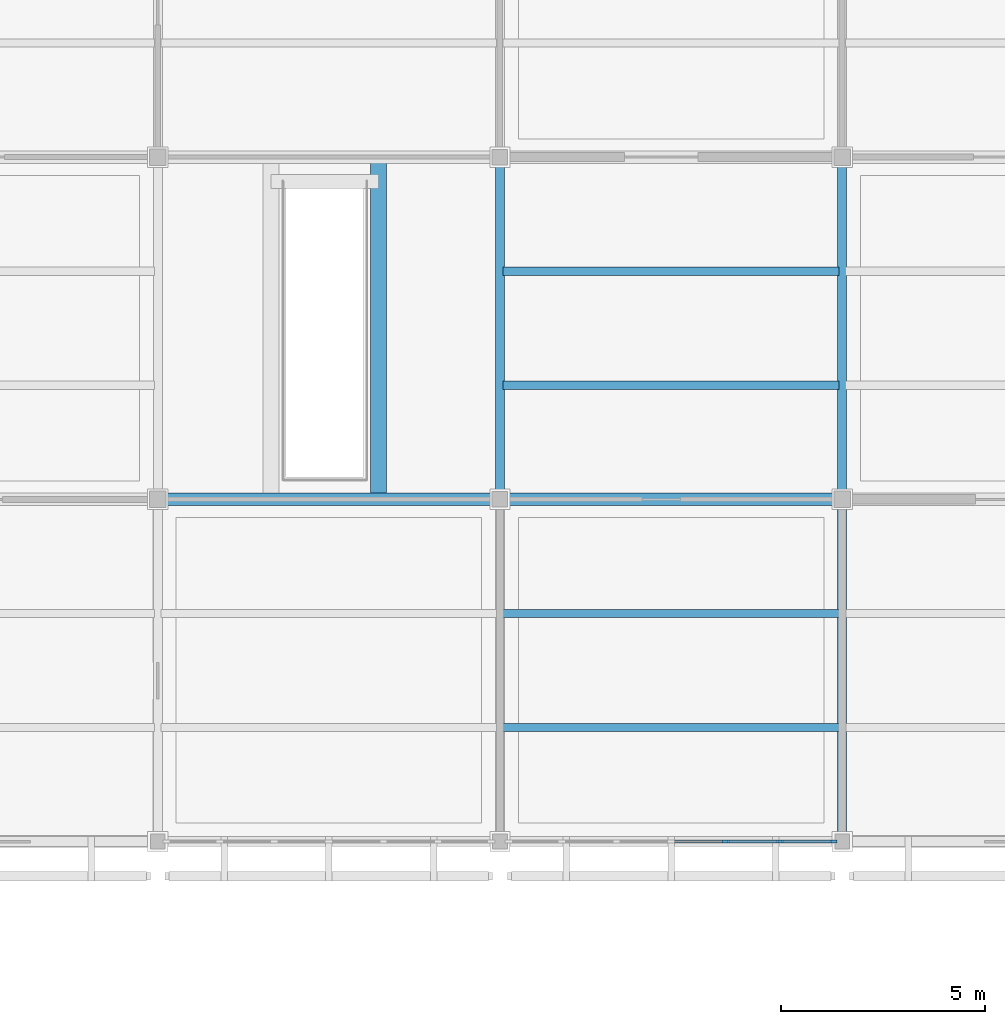
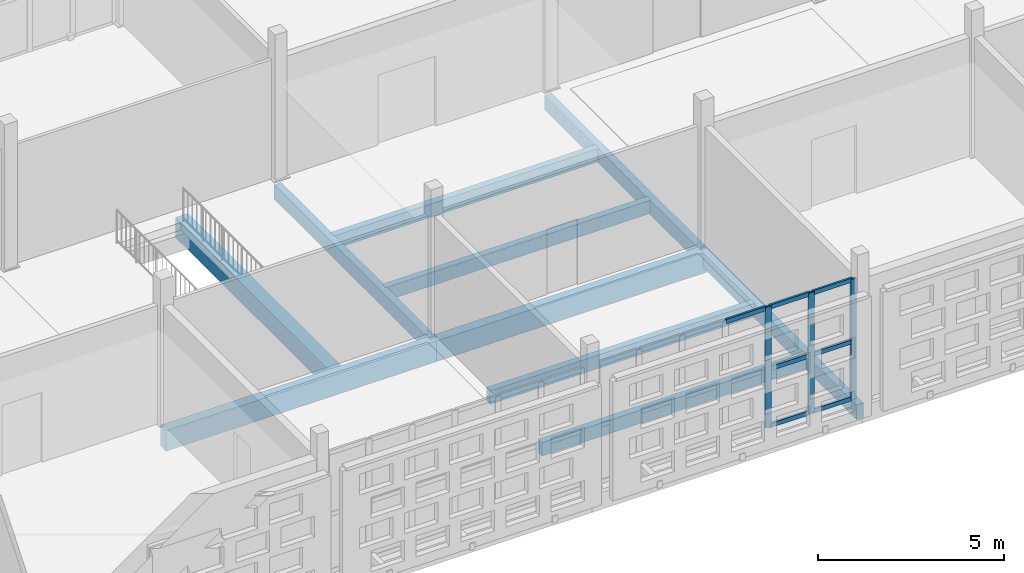
# One storey, part 31 of 203: 10 beams, 10 members, 1 element without a shape of its own.
"""IFC4 building model written with IfcOpenShell, lengths in metres."""

from ifc_helpers import new_model, si_unit, direction, frame, origin, origin_2d, place, context, subcontext, project, spatial, rectangle, extrude, material, layer, layer_set, material_profile, profile_set, type_object, element, aggregate, save


model = new_model("IFC4")

# Units and contexts
model_context = context("Model", 3, precision=1e-05, world=origin(), true_north=direction((0.0, 1.0)))
body_context = subcontext(model_context, "Body", "Model", "MODEL_VIEW")
ifc_project = project(units=[si_unit("LENGTHUNIT", "METRE"), si_unit("AREAUNIT", "SQUARE_METRE"), si_unit("VOLUMEUNIT", "CUBIC_METRE"), si_unit("PLANEANGLEUNIT", "RADIAN"), si_unit("MASSUNIT", "GRAM", prefix="KILO")], contexts=[model_context])

# Site, building, storey
site_placement = place(None, origin())
site = spatial("IfcSite", under=ifc_project, at=site_placement, CompositionType="ELEMENT")
building_placement = place(site_placement, origin())
building = spatial("IfcBuilding", under=site, at=building_placement, Name="Varnapada Polytechnic", CompositionType="ELEMENT")
storey_placement = place(building_placement, frame((0.0, 0.0, 4.800048828125)))
storey = spatial("IfcBuildingStorey", under=building, at=storey_placement, Name="L01", CompositionType="ELEMENT", Elevation=4.800048828125)

# Beams
ifc_material_1 = material(Name="Glulam GL32h", Category="wood")
ifc_material_profile_1 = material_profile(ifc_material_1, rectangle(XDim=0.199951171875, YDim=0.43994140625, at=origin_2d()), Name="GL 200x440")
ifc_profile_set_1 = profile_set([ifc_material_profile_1], Name="Glulam GL32h")
beam_type_1 = type_object("IfcBeamType", Name="Heavy laboratory glulam joist GJ-03 (GL 200x440)", PredefinedType="JOIST", material=ifc_profile_set_1)
for number, where, z_axis, x_axis, name in (
    (1, (84.080078125, 19.60009765625, -0.469970703125), (1.0, 0.0, 0.0), (0.0, 1.0, 0.0), "L01 floor joist 11/3.1"),
    (2, (84.080078125, 22.39990234375, -0.469970703125), (1.0, 0.0, 0.0), (0.0, 1.0, 0.0), "L01 floor joist 11/3.2"),
    (3, (84.080078125, 28.0, -0.469970703125), (1.0, 0.0, 0.0), (0.0, 1.0, 0.0), "L01 floor joist 11/4.1"),
    (4, (84.080078125, 30.800048828125, -0.469970703125), (1.0, 0.0, 0.0), (0.0, 1.0, 0.0), "L01 floor joist 11/4.2"),
):
    element("IfcBeam", number, at=place(storey_placement, frame(where, z_axis=z_axis, x_axis=x_axis)), inside=storey, type_object=beam_type_1, Name=name, PredefinedType="JOIST", context=body_context, shape_type="SweptSolid", body=[
        extrude(rectangle(XDim=0.199951171875, YDim=0.43994140625, at=origin_2d()), origin(), (0.0, 0.0, 1.0), 8.239990234375),
    ])

# Curtain wall, members
ifc_material_2 = material(Name="Double low-E laminated glass", Category="glass")
ifc_layer = layer(ifc_material_2, 0.179931640625)
ifc_layer_set = layer_set([ifc_layer], Name="Double low-E laminated glass")
curtain_wall_type = type_object("IfcCurtainWallType", Name="Curtain Wall CW-04", PredefinedType="NOTDEFINED", material=ifc_layer_set)
curtain_wall_placement = place(storey_placement, origin())
curtain_wall = element("IfcCurtainWall", 5, at=curtain_wall_placement, inside=storey, type_object=curtain_wall_type, Name="L01 unitised curtain wall CW-04 (69)", PredefinedType="NOTDEFINED")
ifc_material_3 = material(Name="Anodised aluminium", Category="aluminium")
ifc_material_profile_2 = material_profile(ifc_material_3, rectangle(XDim=0.06494140625, YDim=0.179931640625, at=origin_2d()), Name="ALU M65x180")
ifc_profile_set_2 = profile_set([ifc_material_profile_2], Name="Anodised aluminium")
member_type_1 = type_object("IfcMemberType", Name="Mullion M-02", PredefinedType="MULLION", material=ifc_profile_set_2)
member_1_placement = place(storey_placement, frame((92.1875, 16.800048828125, 0.0), z_axis=(0.0, 0.0, 1.0), x_axis=(0.0, -1.0, 0.0)))
member_1 = element("IfcMember", 6, at=member_1_placement, type_object=member_type_1, Name="CW-04 mullion 1", PredefinedType="MULLION", context=body_context, shape_type="SweptSolid", body=[
    extrude(rectangle(XDim=0.06494140625, YDim=0.179931640625, at=origin_2d()), origin(), (0.0, 0.0, 1.0), 3.9599609375),
])
member_2_placement = place(storey_placement, frame((90.8798828125, 16.800048828125, 0.0), z_axis=(0.0, 0.0, 1.0), x_axis=(0.0, -1.0, 0.0)))
member_2 = element("IfcMember", 7, at=member_2_placement, type_object=member_type_1, Name="CW-04 mullion 2", PredefinedType="MULLION", context=body_context, shape_type="SweptSolid", body=[
    extrude(rectangle(XDim=0.06494140625, YDim=0.179931640625, at=origin_2d()), origin(), (0.0, 0.0, 1.0), 3.9599609375),
])
member_3_placement = place(storey_placement, frame((89.5400390625, 16.800048828125, 0.0), z_axis=(0.0, 0.0, 1.0), x_axis=(0.0, -1.0, 0.0)))
member_3 = element("IfcMember", 8, at=member_3_placement, type_object=member_type_1, Name="CW-04 mullion 3", PredefinedType="MULLION", context=body_context, shape_type="SweptSolid", body=[
    extrude(rectangle(XDim=0.06494140625, YDim=0.179931640625, at=origin_2d()), origin(), (0.0, 0.0, 1.0), 3.9599609375),
])

# Beam
ifc_material_4 = material(Name="Concrete C40/50", Category="concrete")
ifc_material_profile_3 = material_profile(ifc_material_4, rectangle(XDim=0.39990234375, YDim=0.64990234375, at=origin_2d()), Name="RC 400x650")
ifc_profile_set_3 = profile_set([ifc_material_profile_3], Name="Concrete C40/50")
beam_type_2 = type_object("IfcBeamType", Name="Podium framing beam BB-02 (RC 400x650)", PredefinedType="BEAM", material=ifc_profile_set_3)
beam_1_placement = place(storey_placement, frame((81.02001953125, 25.199951171875, -0.5849609375), z_axis=(0.0, 1.0, 0.0), x_axis=(-1.0, 0.0, 0.0)))
element("IfcBeam", 9, at=beam_1_placement, inside=storey, type_object=beam_type_2, Name="L01 feature stair ST-F5 trimmer girder R", PredefinedType="BEAM", context=body_context, shape_type="SweptSolid", body=[
    extrude(rectangle(XDim=0.39990234375, YDim=0.64990234375, at=origin_2d()), origin(), (0.0, 0.0, 1.0), 8.400146484375),
])

# Member
ifc_material_profile_4 = material_profile(ifc_material_3, rectangle(XDim=0.06494140625, YDim=0.139892578125, at=origin_2d()), Name="ALU T65x140")
ifc_profile_set_4 = profile_set([ifc_material_profile_4], Name="Anodised aluminium")
member_type_2 = type_object("IfcMemberType", Name="Transom T-02", PredefinedType="USERDEFINED", material=ifc_profile_set_4)
member_4_placement = place(storey_placement, frame((92.155029296875, 16.800048828125, 0.032470703125), z_axis=(-1.0, 0.0, 0.0), x_axis=(0.0, -1.0, 0.0)))
member_4 = element("IfcMember", 10, at=member_4_placement, type_object=member_type_2, Name="CW-04 transom 1.1", ObjectType="TRANSOM", PredefinedType="USERDEFINED", context=body_context, shape_type="SweptSolid", body=[
    extrude(rectangle(XDim=0.06494140625, YDim=0.139892578125, at=origin_2d()), origin(), (0.0, 0.0, 1.0), 1.242431640625),
])

member_5_placement = place(storey_placement, frame((92.155029296875, 16.800048828125, 1.900634765625), z_axis=(-1.0, 0.0, 0.0), x_axis=(0.0, -1.0, 0.0)))
member_5 = element("IfcMember", 11, at=member_5_placement, type_object=member_type_2, Name="CW-04 transom 1.2", ObjectType="TRANSOM", PredefinedType="USERDEFINED", context=body_context, shape_type="SweptSolid", body=[
    extrude(rectangle(XDim=0.06494140625, YDim=0.139892578125, at=origin_2d()), origin(), (0.0, 0.0, 1.0), 1.242431640625),
])

member_6_placement = place(storey_placement, frame((92.155029296875, 16.800048828125, 3.927490234375), z_axis=(-1.0, 0.0, 0.0), x_axis=(0.0, -1.0, 0.0)))
member_6 = element("IfcMember", 12, at=member_6_placement, type_object=member_type_2, Name="CW-04 transom 1.3", ObjectType="TRANSOM", PredefinedType="USERDEFINED", context=body_context, shape_type="SweptSolid", body=[
    extrude(rectangle(XDim=0.06494140625, YDim=0.139892578125, at=origin_2d()), origin(), (0.0, 0.0, 1.0), 1.242431640625),
])

member_7_placement = place(storey_placement, frame((90.847412109375, 16.800048828125, 0.032470703125), z_axis=(-1.0, 0.0, 0.0), x_axis=(0.0, -1.0, 0.0)))
member_7 = element("IfcMember", 13, at=member_7_placement, type_object=member_type_2, Name="CW-04 transom 2.1", ObjectType="TRANSOM", PredefinedType="USERDEFINED", context=body_context, shape_type="SweptSolid", body=[
    extrude(rectangle(XDim=0.06494140625, YDim=0.139892578125, at=origin_2d()), origin(), (0.0, 0.0, 1.0), 1.27490234375),
])

member_8_placement = place(storey_placement, frame((90.847412109375, 16.800048828125, 1.900634765625), z_axis=(-1.0, 0.0, 0.0), x_axis=(0.0, -1.0, 0.0)))
member_8 = element("IfcMember", 14, at=member_8_placement, type_object=member_type_2, Name="CW-04 transom 2.2", ObjectType="TRANSOM", PredefinedType="USERDEFINED", context=body_context, shape_type="SweptSolid", body=[
    extrude(rectangle(XDim=0.06494140625, YDim=0.139892578125, at=origin_2d()), origin(), (0.0, 0.0, 1.0), 1.27490234375),
])

member_9_placement = place(storey_placement, frame((90.847412109375, 16.800048828125, 3.927490234375), z_axis=(-1.0, 0.0, 0.0), x_axis=(0.0, -1.0, 0.0)))
member_9 = element("IfcMember", 15, at=member_9_placement, type_object=member_type_2, Name="CW-04 transom 2.3", ObjectType="TRANSOM", PredefinedType="USERDEFINED", context=body_context, shape_type="SweptSolid", body=[
    extrude(rectangle(XDim=0.06494140625, YDim=0.139892578125, at=origin_2d()), origin(), (0.0, 0.0, 1.0), 1.27490234375),
])

member_10_placement = place(storey_placement, frame((89.507568359375, 16.800048828125, 3.927490234375), z_axis=(-1.0, 0.0, 0.0), x_axis=(0.0, -1.0, 0.0)))
member_10 = element("IfcMember", 16, at=member_10_placement, type_object=member_type_2, Name="CW-04 transom 3.3", ObjectType="TRANSOM", PredefinedType="USERDEFINED", context=body_context, shape_type="SweptSolid", body=[
    extrude(rectangle(XDim=0.06494140625, YDim=0.139892578125, at=origin_2d()), origin(), (0.0, 0.0, 1.0), 1.275146484375),
])

aggregate(curtain_wall, [member_1, member_2, member_3, member_4, member_5, member_6, member_7, member_8, member_9, member_10])

# Beams
ifc_material_profile_5 = material_profile(ifc_material_1, rectangle(XDim=0.219970703125, YDim=0.47998046875, at=origin_2d()), Name="GL 220x480")
ifc_profile_set_5 = profile_set([ifc_material_profile_5], Name="Glulam GL32h")
beam_type_3 = type_object("IfcBeamType", Name="Upper floor glulam tie beam GB-11 (GL 220x480)", PredefinedType="BEAM", material=ifc_profile_set_5)
beam_2_placement = place(storey_placement, frame((84.0, 25.199951171875, -0.489990234375), z_axis=(0.0, 1.0, 0.0), x_axis=(-1.0, 0.0, 0.0)))
element("IfcBeam", 17, at=beam_2_placement, inside=storey, type_object=beam_type_3, Name="L01 beam Y 4-5 at X11", PredefinedType="BEAM", context=body_context, shape_type="SweptSolid", body=[
    extrude(rectangle(XDim=0.219970703125, YDim=0.47998046875, at=origin_2d()), origin(), (0.0, 0.0, 1.0), 8.400146484375),
])
beam_3_placement = place(storey_placement, frame((92.39990234375, 16.800048828125, -0.489990234375), z_axis=(0.0, 1.0, 0.0), x_axis=(-1.0, 0.0, 0.0)))
element("IfcBeam", 18, at=beam_3_placement, inside=storey, type_object=beam_type_3, Name="L01 beam Y 3-4 at X12", PredefinedType="BEAM", context=body_context, shape_type="SweptSolid", body=[
    extrude(rectangle(XDim=0.219970703125, YDim=0.47998046875, at=origin_2d()), origin(), (0.0, 0.0, 1.0), 8.39990234375),
])
beam_4_placement = place(storey_placement, frame((92.39990234375, 25.199951171875, -0.489990234375), z_axis=(0.0, 1.0, 0.0), x_axis=(-1.0, 0.0, 0.0)))
element("IfcBeam", 19, at=beam_4_placement, inside=storey, type_object=beam_type_3, Name="L01 beam Y 4-5 at X12", PredefinedType="BEAM", context=body_context, shape_type="SweptSolid", body=[
    extrude(rectangle(XDim=0.219970703125, YDim=0.47998046875, at=origin_2d()), origin(), (0.0, 0.0, 1.0), 8.400146484375),
])
ifc_material_profile_6 = material_profile(ifc_material_1, rectangle(XDim=0.300048828125, YDim=0.679931640625, at=origin_2d()), Name="GL 300x680")
ifc_profile_set_6 = profile_set([ifc_material_profile_6], Name="Glulam GL32h")
beam_type_4 = type_object("IfcBeamType", Name="Wet laboratory glulam girder GG-04 (GL 300x680)", PredefinedType="BEAM", material=ifc_profile_set_6)
for number, where, z_axis, x_axis, name in (
    (20, (75.60009765625, 25.199951171875, -0.590087890625), (1.0, 0.0, 0.0), (0.0, 1.0, 0.0), "L01 beam X 10-11 at Y4"),
    (21, (84.0, 25.199951171875, -0.590087890625), (1.0, 0.0, 0.0), (0.0, 1.0, 0.0), "L01 beam X 11-12 at Y4"),
):
    element("IfcBeam", number, at=place(storey_placement, frame(where, z_axis=z_axis, x_axis=x_axis)), inside=storey, type_object=beam_type_4, Name=name, PredefinedType="BEAM", context=body_context, shape_type="SweptSolid", body=[
        extrude(rectangle(XDim=0.300048828125, YDim=0.679931640625, at=origin_2d()), origin(), (0.0, 0.0, 1.0), 8.39990234375),
    ])

save(model, "model.ifc")
